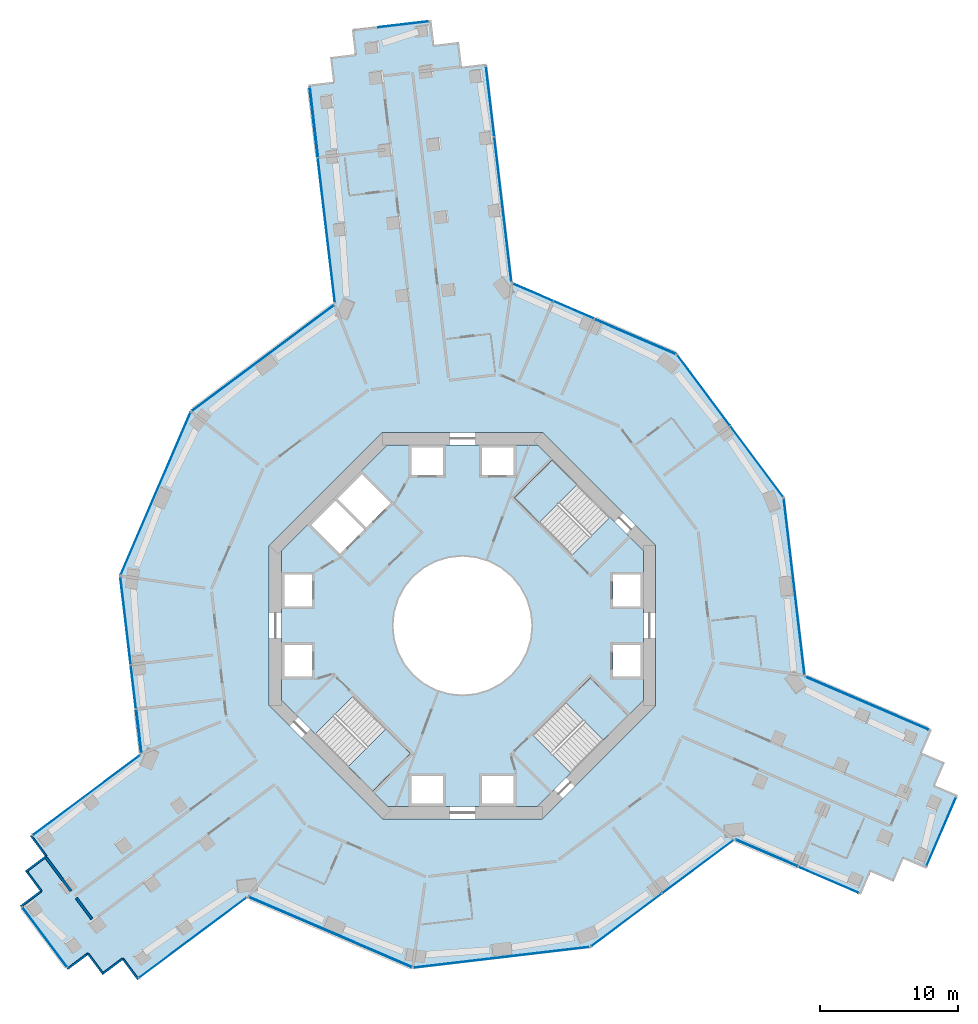
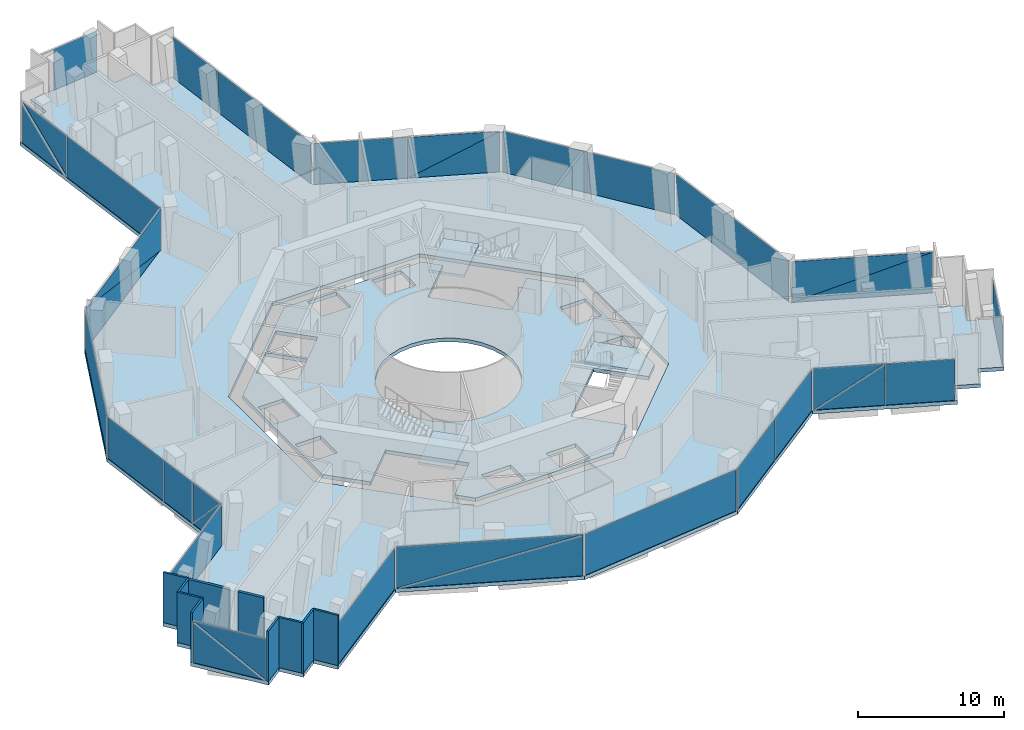
# One storey, part 10 of 17: 35 plates, 10 walls, 5 slabs, 21 elements without a shape of their own.
"""IFC4 building model written with IfcOpenShell, lengths in metres."""

from ifc_helpers import new_model, si_unit, direction, frame, frame_2d, origin, origin_2d, place, context, subcontext, project, spatial, polyline, rectangle, outline, extrude, material, layer, layer_set, type_object, element, aggregate, save


model = new_model("IFC4")

# Units and contexts
model_context = context("Model", 3, precision=1e-05, world=origin(), true_north=direction((0.0, 1.0)))
body_context = subcontext(model_context, "Body", "Model", "MODEL_VIEW")
ifc_project = project(units=[si_unit("LENGTHUNIT", "METRE"), si_unit("AREAUNIT", "SQUARE_METRE"), si_unit("VOLUMEUNIT", "CUBIC_METRE"), si_unit("PLANEANGLEUNIT", "RADIAN"), si_unit("MASSUNIT", "GRAM", prefix="KILO")], contexts=[model_context])

# Site, building, storey
site_placement = place(None, origin())
site = spatial("IfcSite", under=ifc_project, at=site_placement, CompositionType="ELEMENT")
building_placement = place(site_placement, origin())
building = spatial("IfcBuilding", under=site, at=building_placement, Name="Verdalira Terraces Hotel", CompositionType="ELEMENT")
storey_placement = place(building_placement, frame((0.0, 0.0, 60.0)))
storey = spatial("IfcBuildingStorey", under=building, at=storey_placement, Name="L13", CompositionType="ELEMENT", Elevation=60.0)

# Curtain wall, plates
ifc_material_1 = material(Name="Clear glass", Category="glass")
ifc_layer_1 = layer(ifc_material_1, 0.179931640625)
ifc_layer_set_1 = layer_set([ifc_layer_1], Name="CW4 curtain wall")
curtain_wall_type = type_object("IfcCurtainWallType", Name="CW4 curtain wall", PredefinedType="NOTDEFINED", material=ifc_layer_set_1)
curtain_wall_1_placement = place(storey_placement, origin())
curtain_wall_1 = element("IfcCurtainWall", 1, at=curtain_wall_1_placement, inside=storey, type_object=curtain_wall_type, Name="CW4 curtain wall L13 edge 0", PredefinedType="NOTDEFINED")
ifc_material_2 = material(Name="Clear glass", Category="glass")
ifc_layer_2 = layer(ifc_material_2, 0.035888671875)
ifc_layer_set_2 = layer_set([ifc_layer_2], Name="CW4 glass unit 36")
plate_type = type_object("IfcPlateType", Name="CW4 glass unit 36", PredefinedType="CURTAIN_PANEL", material=ifc_layer_set_2)
plate_1_placement = place(storey_placement, frame((2.931396, 30.155518, 0.0), z_axis=(0.0, 0.0, 1.0), x_axis=(-0.117017412, 0.993129863, 0.0)))
plate_1 = element("IfcPlate", 2, at=plate_1_placement, type_object=plate_type, Name="CW4 glass unit", PredefinedType="CURTAIN_PANEL", context=body_context, shape_type="SweptSolid", body=[
    extrude(rectangle(XDim=10.529297, YDim=0.035889, at=origin_2d()), origin(), (0.0, 0.0, 1.0), 3.419922),
])
plate_2_placement = place(storey_placement, frame((2.010742, 37.968262, 0.0), z_axis=(0.0, 0.0, 1.0), x_axis=(-0.117017412, 0.993129863, 0.0)))
plate_2 = element("IfcPlate", 3, at=plate_2_placement, type_object=plate_type, Name="CW4 glass unit", PredefinedType="CURTAIN_PANEL", context=body_context, shape_type="SweptSolid", body=[
    extrude(rectangle(XDim=5.074463, YDim=0.035889, at=origin_2d()), origin(), (0.0, 0.0, 1.0), 3.419922),
])
aggregate(curtain_wall_1, [plate_1, plate_2])

# Curtain wall, plate
curtain_wall_2_placement = place(storey_placement, origin())
curtain_wall_2 = element("IfcCurtainWall", 4, at=curtain_wall_2_placement, inside=storey, type_object=curtain_wall_type, Name="CW4 curtain wall L13 edge 5", PredefinedType="NOTDEFINED")
plate_3_placement = place(storey_placement, frame((-4.279541, 43.562988, 0.0), z_axis=(0.0, 0.0, 1.0), x_axis=(-0.993129863, -0.117017412, 0.0)))
plate_3 = element("IfcPlate", 5, at=plate_3_placement, type_object=plate_type, Name="CW4 glass unit", PredefinedType="CURTAIN_PANEL", context=body_context, shape_type="SweptSolid", body=[
    extrude(rectangle(XDim=3.675049, YDim=0.035889, at=origin_2d()), origin(), (0.0, 0.0, 1.0), 3.419922),
])
aggregate(curtain_wall_2, [plate_3])

# Curtain wall, plates
curtain_wall_3_placement = place(storey_placement, origin())
curtain_wall_3 = element("IfcCurtainWall", 6, at=curtain_wall_3_placement, inside=storey, type_object=curtain_wall_type, Name="CW4 curtain wall L13 edge 10", PredefinedType="NOTDEFINED")
plate_4_placement = place(storey_placement, frame((-10.762939, 36.463379, 1.709961), z_axis=(-0.993129863, -0.117017412, 0.0), x_axis=(0.117017412, -0.993129863, 0.0)))
plate_4 = element("IfcPlate", 7, at=plate_4_placement, type_object=plate_type, Name="CW4 glass unit", PredefinedType="CURTAIN_PANEL", context=body_context, shape_type="SweptSolid", body=[
    extrude(outline(polyline([(-2.537109, -1.709961), (2.537109, -1.709961), (-2.537109, 1.709961), (-2.537109, -1.709961)])), origin(), (0.0, 0.0, 1.0), 0.035889),
])
plate_5_placement = place(storey_placement, frame((-10.726074, 36.467529, 1.709961), z_axis=(-0.993129863, -0.117017412, 0.0), x_axis=(0.117017412, -0.993129863, 0.0)))
plate_5 = element("IfcPlate", 8, at=plate_5_placement, type_object=plate_type, Name="CW4 glass unit", PredefinedType="CURTAIN_PANEL", context=body_context, shape_type="SweptSolid", body=[
    extrude(outline(polyline([(2.537109, -1.709961), (2.537109, 1.709961), (-2.537109, 1.709961), (2.537109, -1.709961)])), origin(), (0.0, 0.0, 1.0), 0.035889),
])
plate_6_placement = place(storey_placement, frame((-9.860107, 28.648193, 0.0), z_axis=(0.0, 0.0, 1.0), x_axis=(0.117017412, -0.993129863, 0.0)))
plate_6 = element("IfcPlate", 9, at=plate_6_placement, type_object=plate_type, Name="CW4 glass unit", PredefinedType="CURTAIN_PANEL", context=body_context, shape_type="SweptSolid", body=[
    extrude(rectangle(XDim=10.529297, YDim=0.035889, at=origin_2d()), origin(), (0.0, 0.0, 1.0), 3.419922),
])
aggregate(curtain_wall_3, [plate_4, plate_5, plate_6])

curtain_wall_4_placement = place(storey_placement, origin())
curtain_wall_4 = element("IfcCurtainWall", 10, at=curtain_wall_4_placement, inside=storey, type_object=curtain_wall_type, Name="CW4 curtain wall L13 edge 11", PredefinedType="NOTDEFINED")
plate_7_placement = place(storey_placement, frame((-14.448486, 19.388916, 1.709961), z_axis=(-0.597904983, 0.801566985, 0.0), x_axis=(-0.801566985, -0.597904983, 0.0)))
plate_7 = element("IfcPlate", 11, at=plate_7_placement, type_object=plate_type, Name="CW4 glass unit", PredefinedType="CURTAIN_PANEL", context=body_context, shape_type="SweptSolid", body=[
    extrude(outline(polyline([(-6.40625, -1.709961), (6.40625, -1.709961), (6.40625, 1.709961), (-6.40625, -1.709961)])), origin(), (0.0, 0.0, 1.0), 0.035889),
])
plate_8_placement = place(storey_placement, frame((-14.42627, 19.359131, 1.709961), z_axis=(-0.597904983, 0.801566985, 0.0), x_axis=(-0.801566985, -0.597904983, 0.0)))
plate_8 = element("IfcPlate", 12, at=plate_8_placement, type_object=plate_type, Name="CW4 glass unit", PredefinedType="CURTAIN_PANEL", context=body_context, shape_type="SweptSolid", body=[
    extrude(outline(polyline([(-6.40625, -1.709961), (6.40625, 1.709961), (-6.40625, 1.709961), (-6.40625, -1.709961)])), origin(), (0.0, 0.0, 1.0), 0.035889),
])
aggregate(curtain_wall_4, [plate_7, plate_8])

# Curtain wall, plate
curtain_wall_5_placement = place(storey_placement, origin())
curtain_wall_5 = element("IfcCurtainWall", 13, at=curtain_wall_5_placement, inside=storey, type_object=curtain_wall_type, Name="CW4 curtain wall L13 edge 12", PredefinedType="NOTDEFINED")
plate_9_placement = place(storey_placement, frame((-22.228271, 9.563721, 0.0), z_axis=(0.0, 0.0, 1.0), x_axis=(-0.39522488, -0.918584397, 0.0)))
plate_9 = element("IfcPlate", 14, at=plate_9_placement, type_object=plate_type, Name="CW4 glass unit", PredefinedType="CURTAIN_PANEL", context=body_context, shape_type="SweptSolid", body=[
    extrude(rectangle(XDim=12.789551, YDim=0.035889, at=origin_2d()), origin(), (0.0, 0.0, 1.0), 3.419922),
])
aggregate(curtain_wall_5, [plate_9])

# Curtain wall, plates
curtain_wall_6_placement = place(storey_placement, origin())
curtain_wall_6 = element("IfcCurtainWall", 15, at=curtain_wall_6_placement, inside=storey, type_object=curtain_wall_type, Name="CW4 curtain wall L13 edge 13", PredefinedType="NOTDEFINED")
plate_10_placement = place(storey_placement, frame((-24.408203, 0.359863, 0.0), z_axis=(0.0, 0.0, 1.0), x_axis=(0.117017412, -0.993129863, 0.0)))
plate_10 = element("IfcPlate", 16, at=plate_10_placement, type_object=plate_type, Name="CW4 glass unit", PredefinedType="CURTAIN_PANEL", context=body_context, shape_type="SweptSolid", body=[
    extrude(rectangle(XDim=6.362305, YDim=0.035889, at=origin_2d()), origin(), (0.0, 0.0, 1.0), 3.419922),
])
plate_11_placement = place(storey_placement, frame((-23.842041, -4.445557, 0.0), z_axis=(0.0, 0.0, 1.0), x_axis=(0.117017412, -0.993129863, 0.0)))
plate_11 = element("IfcPlate", 17, at=plate_11_placement, type_object=plate_type, Name="CW4 glass unit", PredefinedType="CURTAIN_PANEL", context=body_context, shape_type="SweptSolid", body=[
    extrude(rectangle(XDim=3.185059, YDim=0.035889, at=origin_2d()), origin(), (0.0, 0.0, 1.0), 3.419922),
])
plate_12_placement = place(storey_placement, frame((-23.446777, -7.64624, 1.709961), z_axis=(-0.993129863, -0.117017412, 0.0), x_axis=(0.117017412, -0.993129863, 0.0)))
plate_12 = element("IfcPlate", 18, at=plate_12_placement, type_object=plate_type, Name="CW4 glass unit", PredefinedType="CURTAIN_PANEL", context=body_context, shape_type="SweptSolid", body=[
    extrude(outline(polyline([(-1.567627, -1.709961), (1.567627, -1.709961), (1.567627, 1.709961), (-1.567627, -1.709961)])), origin(), (0.0, 0.0, 1.0), 0.035889),
])
plate_13_placement = place(storey_placement, frame((-23.409912, -7.64209, 1.709961), z_axis=(-0.993129863, -0.117017412, 0.0), x_axis=(0.117017412, -0.993129863, 0.0)))
plate_13 = element("IfcPlate", 19, at=plate_13_placement, type_object=plate_type, Name="CW4 glass unit", PredefinedType="CURTAIN_PANEL", context=body_context, shape_type="SweptSolid", body=[
    extrude(outline(polyline([(-1.567627, -1.709961), (1.567627, 1.709961), (-1.567627, 1.709961), (-1.567627, -1.709961)])), origin(), (0.0, 0.0, 1.0), 0.035889),
])
aggregate(curtain_wall_6, [plate_10, plate_11, plate_12, plate_13])

# Curtain wall, plate
curtain_wall_7_placement = place(storey_placement, origin())
curtain_wall_7 = element("IfcCurtainWall", 20, at=curtain_wall_7_placement, inside=storey, type_object=curtain_wall_type, Name="CW4 curtain wall L13 edge 14", PredefinedType="NOTDEFINED")
plate_14_placement = place(storey_placement, frame((-27.236328, -12.281738, 0.0), z_axis=(0.0, 0.0, 1.0), x_axis=(-0.801566985, -0.597904983, 0.0)))
plate_14 = element("IfcPlate", 21, at=plate_14_placement, type_object=plate_type, Name="CW4 glass unit", PredefinedType="CURTAIN_PANEL", context=body_context, shape_type="SweptSolid", body=[
    extrude(rectangle(XDim=9.668945, YDim=0.035889, at=origin_2d()), origin(), (0.0, 0.0, 1.0), 3.419922),
])
aggregate(curtain_wall_7, [plate_14])

# Curtain wall, plates
curtain_wall_8_placement = place(storey_placement, origin())
curtain_wall_8 = element("IfcCurtainWall", 22, at=curtain_wall_8_placement, inside=storey, type_object=curtain_wall_type, Name="CW4 curtain wall L13 edge 19", PredefinedType="NOTDEFINED")
plate_15_placement = place(storey_placement, frame((-30.256348, -22.568848, 1.709961), z_axis=(-0.801566985, -0.597904983, 0.0), x_axis=(0.597904983, -0.801566985, 0.0)))
plate_15 = element("IfcPlate", 23, at=plate_15_placement, type_object=plate_type, Name="CW4 glass unit", PredefinedType="CURTAIN_PANEL", context=body_context, shape_type="SweptSolid", body=[
    extrude(outline(polyline([(-2.685059, -1.709961), (2.685059, -1.709961), (-2.685059, 1.709961), (-2.685059, -1.709961)])), origin(), (0.0, 0.0, 1.0), 0.035889),
])
plate_16_placement = place(storey_placement, frame((-30.226562, -22.546631, 1.709961), z_axis=(-0.801566985, -0.597904983, 0.0), x_axis=(0.597904983, -0.801566985, 0.0)))
plate_16 = element("IfcPlate", 24, at=plate_16_placement, type_object=plate_type, Name="CW4 glass unit", PredefinedType="CURTAIN_PANEL", context=body_context, shape_type="SweptSolid", body=[
    extrude(outline(polyline([(2.685059, -1.709961), (2.685059, 1.709961), (-2.685059, 1.709961), (2.685059, -1.709961)])), origin(), (0.0, 0.0, 1.0), 0.035889),
])
aggregate(curtain_wall_8, [plate_15, plate_16])

# Curtain wall, plate
curtain_wall_9_placement = place(storey_placement, origin())
curtain_wall_9 = element("IfcCurtainWall", 25, at=curtain_wall_9_placement, inside=storey, type_object=curtain_wall_type, Name="CW4 curtain wall L13 edge 24", PredefinedType="NOTDEFINED")
plate_17_placement = place(storey_placement, frame((-19.535156, -22.605957, 0.0), z_axis=(0.0, 0.0, 1.0), x_axis=(0.801566985, 0.597904983, 0.0)))
plate_17 = element("IfcPlate", 26, at=plate_17_placement, type_object=plate_type, Name="CW4 glass unit", PredefinedType="CURTAIN_PANEL", context=body_context, shape_type="SweptSolid", body=[
    extrude(rectangle(XDim=9.668945, YDim=0.035889, at=origin_2d()), origin(), (0.0, 0.0, 1.0), 3.419922),
])
aggregate(curtain_wall_9, [plate_17])

# Curtain wall, plates
curtain_wall_10_placement = place(storey_placement, origin())
curtain_wall_10 = element("IfcCurtainWall", 27, at=curtain_wall_10_placement, inside=storey, type_object=curtain_wall_type, Name="CW4 curtain wall L13 edge 25", PredefinedType="NOTDEFINED")
plate_18_placement = place(storey_placement, frame((-9.567139, -22.207031, 1.709961), z_axis=(-0.39522488, -0.918584397, 0.0), x_axis=(0.918584397, -0.39522488, 0.0)))
plate_18 = element("IfcPlate", 28, at=plate_18_placement, type_object=plate_type, Name="CW4 glass unit", PredefinedType="CURTAIN_PANEL", context=body_context, shape_type="SweptSolid", body=[
    extrude(outline(polyline([(-6.40625, -1.709961), (6.40625, -1.709961), (6.40625, 1.709961), (-6.40625, -1.709961)])), origin(), (0.0, 0.0, 1.0), 0.035889),
])
plate_19_placement = place(storey_placement, frame((-9.55249, -22.173096, 1.709961), z_axis=(-0.39522488, -0.918584397, 0.0), x_axis=(0.918584397, -0.39522488, 0.0)))
plate_19 = element("IfcPlate", 29, at=plate_19_placement, type_object=plate_type, Name="CW4 glass unit", PredefinedType="CURTAIN_PANEL", context=body_context, shape_type="SweptSolid", body=[
    extrude(outline(polyline([(-6.40625, -1.709961), (6.40625, 1.709961), (-6.40625, 1.709961), (-6.40625, -1.709961)])), origin(), (0.0, 0.0, 1.0), 0.035889),
])
aggregate(curtain_wall_10, [plate_18, plate_19])

# Curtain wall, plate
curtain_wall_11_placement = place(storey_placement, origin())
curtain_wall_11 = element("IfcCurtainWall", 30, at=curtain_wall_11_placement, inside=storey, type_object=curtain_wall_type, Name="CW4 curtain wall L13 edge 26", PredefinedType="NOTDEFINED")
plate_20_placement = place(storey_placement, frame((2.831543, -24.031982, 0.0), z_axis=(0.0, 0.0, 1.0), x_axis=(0.993129863, 0.117017412, 0.0)))
plate_20 = element("IfcPlate", 31, at=plate_20_placement, type_object=plate_type, Name="CW4 glass unit", PredefinedType="CURTAIN_PANEL", context=body_context, shape_type="SweptSolid", body=[
    extrude(rectangle(XDim=12.789551, YDim=0.035889, at=origin_2d()), origin(), (0.0, 0.0, 1.0), 3.419922),
])
aggregate(curtain_wall_11, [plate_20])

# Curtain wall, plates
curtain_wall_12_placement = place(storey_placement, origin())
curtain_wall_12 = element("IfcCurtainWall", 32, at=curtain_wall_12_placement, inside=storey, type_object=curtain_wall_type, Name="CW4 curtain wall L13 edge 27", PredefinedType="NOTDEFINED")
plate_21_placement = place(storey_placement, frame((11.892334, -21.318115, 0.0), z_axis=(0.0, 0.0, 1.0), x_axis=(0.801566985, 0.597904983, 0.0)))
plate_21 = element("IfcPlate", 33, at=plate_21_placement, type_object=plate_type, Name="CW4 glass unit", PredefinedType="CURTAIN_PANEL", context=body_context, shape_type="SweptSolid", body=[
    extrude(rectangle(XDim=6.362305, YDim=0.035889, at=origin_2d()), origin(), (0.0, 0.0, 1.0), 3.419922),
])
plate_22_placement = place(storey_placement, frame((17.053467, -17.468262, 0.0), z_axis=(0.0, 0.0, 1.0), x_axis=(0.801566985, 0.597904983, 0.0)))
plate_22 = element("IfcPlate", 34, at=plate_22_placement, type_object=plate_type, Name="CW4 glass unit", PredefinedType="CURTAIN_PANEL", context=body_context, shape_type="SweptSolid", body=[
    extrude(rectangle(XDim=6.385254, YDim=0.035889, at=origin_2d()), origin(), (0.0, 0.0, 1.0), 3.419922),
])
aggregate(curtain_wall_12, [plate_21, plate_22])

curtain_wall_13_placement = place(storey_placement, origin())
curtain_wall_13 = element("IfcCurtainWall", 35, at=curtain_wall_13_placement, inside=storey, type_object=curtain_wall_type, Name="CW4 curtain wall L13 edge 28", PredefinedType="NOTDEFINED")
plate_23_placement = place(storey_placement, frame((22.056641, -16.481201, 1.709961), z_axis=(-0.39522488, -0.918584397, 0.0), x_axis=(0.918584397, -0.39522488, 0.0)))
plate_23 = element("IfcPlate", 36, at=plate_23_placement, type_object=plate_type, Name="CW4 glass unit", PredefinedType="CURTAIN_PANEL", context=body_context, shape_type="SweptSolid", body=[
    extrude(outline(polyline([(-2.434082, -1.709961), (2.434082, -1.709961), (2.434082, 1.709961), (-2.434082, -1.709961)])), origin(), (0.0, 0.0, 1.0), 0.035889),
])
plate_24_placement = place(storey_placement, frame((22.071289, -16.447266, 1.709961), z_axis=(-0.39522488, -0.918584397, 0.0), x_axis=(0.918584397, -0.39522488, 0.0)))
plate_24 = element("IfcPlate", 37, at=plate_24_placement, type_object=plate_type, Name="CW4 glass unit", PredefinedType="CURTAIN_PANEL", context=body_context, shape_type="SweptSolid", body=[
    extrude(outline(polyline([(-2.434082, -1.709961), (2.434082, 1.709961), (-2.434082, 1.709961), (-2.434082, -1.709961)])), origin(), (0.0, 0.0, 1.0), 0.035889),
])
plate_25_placement = place(storey_placement, frame((26.520264, -18.421387, 0.0), z_axis=(0.0, 0.0, 1.0), x_axis=(0.918584397, -0.39522488, 0.0)))
plate_25 = element("IfcPlate", 38, at=plate_25_placement, type_object=plate_type, Name="CW4 glass unit", PredefinedType="CURTAIN_PANEL", context=body_context, shape_type="SweptSolid", body=[
    extrude(rectangle(XDim=4.735596, YDim=0.035889, at=origin_2d()), origin(), (0.0, 0.0, 1.0), 3.419922),
])
aggregate(curtain_wall_13, [plate_23, plate_24, plate_25])

# Curtain wall, plate
curtain_wall_14_placement = place(storey_placement, origin())
curtain_wall_14 = element("IfcCurtainWall", 39, at=curtain_wall_14_placement, inside=storey, type_object=curtain_wall_type, Name="CW4 curtain wall L13 edge 33", PredefinedType="NOTDEFINED")
plate_26_placement = place(storey_placement, frame((34.689941, -14.925537, 0.0), z_axis=(0.0, 0.0, 1.0), x_axis=(0.39522488, 0.918584397, 0.0)))
plate_26 = element("IfcPlate", 40, at=plate_26_placement, type_object=plate_type, Name="CW4 glass unit", PredefinedType="CURTAIN_PANEL", context=body_context, shape_type="SweptSolid", body=[
    extrude(rectangle(XDim=5.370117, YDim=0.035889, at=origin_2d()), origin(), (0.0, 0.0, 1.0), 3.419922),
])
aggregate(curtain_wall_14, [plate_26])

# Curtain wall, plates
curtain_wall_15_placement = place(storey_placement, origin())
curtain_wall_15 = element("IfcCurtainWall", 41, at=curtain_wall_15_placement, inside=storey, type_object=curtain_wall_type, Name="CW4 curtain wall L13 edge 38", PredefinedType="NOTDEFINED")
plate_27_placement = place(storey_placement, frame((29.337891, -5.631592, 1.709961), z_axis=(0.39522488, 0.918584397, 0.0), x_axis=(-0.918584397, 0.39522488, 0.0)))
plate_27 = element("IfcPlate", 42, at=plate_27_placement, type_object=plate_type, Name="CW4 glass unit", PredefinedType="CURTAIN_PANEL", context=body_context, shape_type="SweptSolid", body=[
    extrude(outline(polyline([(-4.834473, -1.709961), (4.834473, -1.709961), (-4.834473, 1.709961), (-4.834473, -1.709961)])), origin(), (0.0, 0.0, 1.0), 0.035889),
])
plate_28_placement = place(storey_placement, frame((29.323242, -5.665527, 1.709961), z_axis=(0.39522488, 0.918584397, 0.0), x_axis=(-0.918584397, 0.39522488, 0.0)))
plate_28 = element("IfcPlate", 43, at=plate_28_placement, type_object=plate_type, Name="CW4 glass unit", PredefinedType="CURTAIN_PANEL", context=body_context, shape_type="SweptSolid", body=[
    extrude(outline(polyline([(4.834473, -1.709961), (4.834473, 1.709961), (-4.834473, 1.709961), (4.834473, -1.709961)])), origin(), (0.0, 0.0, 1.0), 0.035889),
])
aggregate(curtain_wall_15, [plate_27, plate_28])

# Curtain wall, plate
curtain_wall_16_placement = place(storey_placement, origin())
curtain_wall_16 = element("IfcCurtainWall", 44, at=curtain_wall_16_placement, inside=storey, type_object=curtain_wall_type, Name="CW4 curtain wall L13 edge 39", PredefinedType="NOTDEFINED")
plate_29_placement = place(storey_placement, frame((24.033447, 2.820312, 0.0), z_axis=(0.0, 0.0, 1.0), x_axis=(-0.117017412, 0.993129863, 0.0)))
plate_29 = element("IfcPlate", 45, at=plate_29_placement, type_object=plate_type, Name="CW4 glass unit", PredefinedType="CURTAIN_PANEL", context=body_context, shape_type="SweptSolid", body=[
    extrude(rectangle(XDim=12.8125, YDim=0.035889, at=origin_2d()), origin(), (0.0, 0.0, 1.0), 3.419922),
])
aggregate(curtain_wall_16, [plate_29])

# Curtain wall, plates
curtain_wall_17_placement = place(storey_placement, origin())
curtain_wall_17 = element("IfcCurtainWall", 46, at=curtain_wall_17_placement, inside=storey, type_object=curtain_wall_type, Name="CW4 curtain wall L13 edge 40", PredefinedType="NOTDEFINED")
plate_30_placement = place(storey_placement, frame((21.318115, 11.892334, 0.0), z_axis=(0.0, 0.0, 1.0), x_axis=(-0.597904983, 0.801566985, 0.0)))
plate_30 = element("IfcPlate", 47, at=plate_30_placement, type_object=plate_type, Name="CW4 glass unit", PredefinedType="CURTAIN_PANEL", context=body_context, shape_type="SweptSolid", body=[
    extrude(rectangle(XDim=6.362305, YDim=0.035889, at=origin_2d()), origin(), (0.0, 0.0, 1.0), 3.419922),
])
plate_31_placement = place(storey_placement, frame((17.475098, 17.044189, 0.0), z_axis=(0.0, 0.0, 1.0), x_axis=(-0.597904983, 0.801566985, 0.0)))
plate_31 = element("IfcPlate", 48, at=plate_31_placement, type_object=plate_type, Name="CW4 glass unit", PredefinedType="CURTAIN_PANEL", context=body_context, shape_type="SweptSolid", body=[
    extrude(rectangle(XDim=6.362305, YDim=0.035889, at=origin_2d()), origin(), (0.0, 0.0, 1.0), 3.419922),
])
aggregate(curtain_wall_17, [plate_30, plate_31])

curtain_wall_18_placement = place(storey_placement, origin())
curtain_wall_18 = element("IfcCurtainWall", 49, at=curtain_wall_18_placement, inside=storey, type_object=curtain_wall_type, Name="CW4 curtain wall L13 edge 41", PredefinedType="NOTDEFINED")
plate_32_placement = place(storey_placement, frame((12.508789, 20.941406, 1.709961), z_axis=(0.39522488, 0.918584397, 0.0), x_axis=(-0.918584397, 0.39522488, 0.0)))
plate_32 = element("IfcPlate", 50, at=plate_32_placement, type_object=plate_type, Name="CW4 glass unit", PredefinedType="CURTAIN_PANEL", context=body_context, shape_type="SweptSolid", body=[
    extrude(outline(polyline([(-3.181152, -1.709961), (3.181152, -1.709961), (-3.181152, 1.709961), (-3.181152, -1.709961)])), origin(), (0.0, 0.0, 1.0), 0.035889),
])
plate_33_placement = place(storey_placement, frame((12.494141, 20.907471, 1.709961), z_axis=(0.39522488, 0.918584397, 0.0), x_axis=(-0.918584397, 0.39522488, 0.0)))
plate_33 = element("IfcPlate", 51, at=plate_33_placement, type_object=plate_type, Name="CW4 glass unit", PredefinedType="CURTAIN_PANEL", context=body_context, shape_type="SweptSolid", body=[
    extrude(outline(polyline([(3.181152, -1.709961), (3.181152, 1.709961), (-3.181152, 1.709961), (3.181152, -1.709961)])), origin(), (0.0, 0.0, 1.0), 0.035889),
])
plate_34_placement = place(storey_placement, frame((8.071045, 22.870361, 0.0), z_axis=(0.0, 0.0, 1.0), x_axis=(-0.918584397, 0.39522488, 0.0)))
plate_34 = element("IfcPlate", 52, at=plate_34_placement, type_object=plate_type, Name="CW4 glass unit", PredefinedType="CURTAIN_PANEL", context=body_context, shape_type="SweptSolid", body=[
    extrude(rectangle(XDim=3.185059, YDim=0.035889, at=origin_2d()), origin(), (0.0, 0.0, 1.0), 3.419922),
])
plate_35_placement = place(storey_placement, frame((5.108643, 24.14502, 0.0), z_axis=(0.0, 0.0, 1.0), x_axis=(-0.918584397, 0.39522488, 0.0)))
plate_35 = element("IfcPlate", 53, at=plate_35_placement, type_object=plate_type, Name="CW4 glass unit", PredefinedType="CURTAIN_PANEL", context=body_context, shape_type="SweptSolid", body=[
    extrude(rectangle(XDim=3.135254, YDim=0.035889, at=origin_2d()), origin(), (0.0, 0.0, 1.0), 3.419922),
])
aggregate(curtain_wall_18, [plate_32, plate_33, plate_34, plate_35])

# Slab
ifc_material_3 = material(Name="Concrete C40", Category="concrete")
ifc_layer_3 = layer(ifc_material_3, 0.31005859375)
ifc_layer_set_3 = layer_set([ifc_layer_3], Name="Core floor slab 310 mm")
slab_type_1 = type_object("IfcSlabType", Name="Core floor slab 310 mm", PredefinedType="FLOOR", material=ifc_layer_set_3)
slab_1_placement = place(storey_placement, frame((0.0, 0.0, -0.310059)))
element("IfcSlab", 54, at=slab_1_placement, inside=storey, type_object=slab_type_1, Name="L13 core floor", PredefinedType="FLOOR", context=body_context, shape_type="SweptSolid", body=[
    extrude(outline(polyline([(-5.42627, 13.100098), (5.42627, 13.100098), (6.491211, 12.034912), (3.719482, 9.263184), (7.905029, 5.077393), (10.677002, 7.849121), (13.100098, 5.42627), (13.100098, -5.42627), (12.034912, -6.491211), (9.263184, -3.719482), (5.077393, -7.905029), (7.849121, -10.677002), (5.42627, -13.100098), (-5.42627, -13.100098), (-6.491211, -12.034912), (-3.719482, -9.263184), (-7.905029, -5.077393), (-10.677002, -7.849121), (-13.100098, -5.42627), (-13.100098, 5.42627), (-5.42627, 13.100098)]), holes=[polyline([(12.899902, -3.699951), (12.899902, -1.399902), (10.899902, -1.399902), (10.899902, -3.699951), (12.899902, -3.699951)]), polyline([(12.899902, 1.399902), (12.899902, 3.699951), (10.899902, 3.699951), (10.899902, 1.399902), (12.899902, 1.399902)]), polyline([(1.399902, 10.899902), (3.699951, 10.899902), (3.699951, 12.899902), (1.399902, 12.899902), (1.399902, 10.899902)]), polyline([(-3.699951, 10.899902), (-1.399902, 10.899902), (-1.399902, 12.899902), (-3.699951, 12.899902), (-3.699951, 10.899902)]), polyline([(-12.899902, 3.699951), (-12.899902, 1.399902), (-10.899902, 1.399902), (-10.899902, 3.699951), (-12.899902, 3.699951)]), polyline([(-12.899902, -1.399902), (-12.899902, -3.699951), (-10.899902, -3.699951), (-10.899902, -1.399902), (-12.899902, -1.399902)]), polyline([(-1.399902, -10.899902), (-3.699951, -10.899902), (-3.699951, -12.899902), (-1.399902, -12.899902), (-1.399902, -10.899902)]), polyline([(3.699951, -10.899902), (1.399902, -10.899902), (1.399902, -12.899902), (3.699951, -12.899902), (3.699951, -10.899902)]), polyline([(-9.051025, 9.192383), (-6.965088, 7.106445), (-5.197266, 8.874268), (-7.283203, 10.960205), (-9.051025, 9.192383)]), polyline([(-9.192383, 9.051025), (-10.960205, 7.283203), (-8.874268, 5.197266), (-7.106445, 6.965088), (-9.192383, 9.051025)]), polyline([(3.5354, 3.5354), (2.777832, 4.157227), (1.91333, 4.619385), (0.975586, 4.903809), (0.0, 5.0), (-0.975586, 4.903809), (-1.91333, 4.619385), (-2.777832, 4.157227), (-3.5354, 3.5354), (-4.157227, 2.777832), (-4.619385, 1.91333), (-4.903809, 0.975586), (-5.0, 0.0), (-4.903809, -0.975586), (-4.619385, -1.91333), (-4.157227, -2.777832), (-3.5354, -3.5354), (-2.777832, -4.157227), (-1.91333, -4.619385), (-0.975586, -4.903809), (0.0, -5.0), (0.975586, -4.903809), (1.91333, -4.619385), (2.777832, -4.157227), (3.5354, -3.5354), (4.157227, -2.777832), (4.619385, -1.91333), (4.903809, -0.975586), (5.0, 0.0), (4.903809, 0.975586), (4.619385, 1.91333), (4.157227, 2.777832), (3.5354, 3.5354)])]), origin(), (0.0, 0.0, 1.0), 0.310059),
])

# Stair, slab
ifc_material_4 = material(Name="Concrete C40", Category="concrete")
stair_type = type_object("IfcStairType", Name="Core stair 26 risers 1900 mm wide", PredefinedType="HALF_TURN_STAIR", material=ifc_material_4)
stair_1_placement = place(storey_placement, origin())
stair_1 = element("IfcStair", 55, at=stair_1_placement, inside=storey, type_object=stair_type, Name="L13 Exit stair ST1", PredefinedType="HALF_TURN_STAIR")
ifc_material_5 = material(Name="Concrete C40", Category="concrete")
ifc_layer_4 = layer(ifc_material_5, 0.199951171875)
ifc_layer_set_4 = layer_set([ifc_layer_4], Name="Core stair landing 200 mm")
slab_type_2 = type_object("IfcSlabType", Name="Core stair landing 200 mm", PredefinedType="LANDING", material=ifc_layer_set_4)
slab_2_placement = place(storey_placement, frame((0.0, 0.0, 2.050049)))
slab_2 = element("IfcSlab", 56, at=slab_2_placement, type_object=slab_type_2, Name="ST1 landing 1", PredefinedType="LANDING", context=body_context, shape_type="SweptSolid", body=[
    extrude(outline(polyline([(8.301758, 10.224365), (6.505371, 12.020752), (3.747559, 9.263184), (5.544189, 7.466797), (8.301758, 10.224365)])), origin(), (0.0, 0.0, 1.0), 0.199951),
])
aggregate(stair_1, [slab_2])

stair_2_placement = place(storey_placement, origin())
stair_2 = element("IfcStair", 57, at=stair_2_placement, inside=storey, type_object=stair_type, Name="L13 Exit stair ST2", PredefinedType="HALF_TURN_STAIR")
slab_3_placement = place(storey_placement, frame((0.0, 0.0, 2.050049)))
slab_3 = element("IfcSlab", 58, at=slab_3_placement, type_object=slab_type_2, Name="ST2 landing 1", PredefinedType="LANDING", context=body_context, shape_type="SweptSolid", body=[
    extrude(outline(polyline([(-8.301758, -10.224365), (-6.505371, -12.020752), (-3.747559, -9.263184), (-5.544189, -7.466797), (-8.301758, -10.224365)])), origin(), (0.0, 0.0, 1.0), 0.199951),
])
aggregate(stair_2, [slab_3])

stair_3_placement = place(storey_placement, origin())
stair_3 = element("IfcStair", 59, at=stair_3_placement, inside=storey, type_object=stair_type, Name="L13 Exit stair ST3", PredefinedType="HALF_TURN_STAIR")
slab_4_placement = place(storey_placement, frame((0.0, 0.0, 2.050049)))
slab_4 = element("IfcSlab", 60, at=slab_4_placement, type_object=slab_type_2, Name="ST3 landing 1", PredefinedType="LANDING", context=body_context, shape_type="SweptSolid", body=[
    extrude(outline(polyline([(10.224365, -8.301758), (12.020752, -6.505371), (9.263184, -3.747559), (7.466797, -5.544189), (10.224365, -8.301758)])), origin(), (0.0, 0.0, 1.0), 0.199951),
])
aggregate(stair_3, [slab_4])

# Slab
ifc_material_6 = material(Name="Concrete C40", Category="concrete")
ifc_layer_5 = layer(ifc_material_6, 0.31005859375)
ifc_layer_set_5 = layer_set([ifc_layer_5], Name="Floor slab 310 C40")
slab_type_3 = type_object("IfcSlabType", Name="Floor slab 310 C40", PredefinedType="FLOOR", material=ifc_layer_set_5)
slab_5_placement = place(storey_placement, frame((0.0, 0.0, -0.310059)))
element("IfcSlab", 61, at=slab_5_placement, inside=storey, type_object=slab_type_3, Name="Floor slab L13", PredefinedType="FLOOR", context=body_context, shape_type="SweptSolid", body=[
    extrude(outline(polyline([(15.55835, 19.714355), (3.616699, 24.852295), (1.748291, 40.70874), (-0.039307, 40.498047), (-0.25, 42.285889), (-2.037598, 42.075195), (-2.248291, 43.862793), (-8.008301, 43.184082), (-7.797607, 41.396484), (-9.585205, 41.185791), (-9.374756, 39.398193), (-11.162354, 39.1875), (-9.293945, 23.331055), (-19.714355, 15.55835), (-24.852295, 3.616699), (-23.331055, -9.293945), (-31.31958, -15.252686), (-30.243408, -16.695557), (-31.686279, -17.771973), (-30.610107, -19.2146), (-32.052734, -20.291016), (-28.584961, -24.939941), (-27.14209, -23.86377), (-26.065918, -25.306641), (-24.623047, -24.230469), (-23.546875, -25.673096), (-15.55835, -19.714355), (-3.616699, -24.852295), (9.293945, -23.331055), (19.714355, -15.55835), (28.869141, -19.497314), (29.580566, -17.84375), (31.233887, -18.555176), (31.945312, -16.901611), (33.598877, -17.613037), (35.891113, -12.2854), (34.237793, -11.573975), (34.949219, -9.92041), (33.295654, -9.208984), (34.00708, -7.555664), (24.852295, -3.616699), (23.331055, 9.293945), (15.55835, 19.714355)]), holes=[polyline([(5.799072, 14.0), (14.0, 5.799072), (14.0, -5.799072), (5.799072, -14.0), (-5.799072, -14.0), (-14.0, -5.799072), (-14.0, 5.799072), (-5.799072, 14.0), (5.799072, 14.0)])]), origin(), (0.0, 0.0, 1.0), 0.310059),
])

# Walls
ifc_material_7 = material(Name="Fire-rated gypsum board wall")
ifc_layer_6 = layer(ifc_material_7, 0.199951171875)
ifc_layer_set_6 = layer_set([ifc_layer_6], Name="Demising wall 200 mm")
wall_type_1 = type_object("IfcWallType", Name="Demising wall 200 mm", PredefinedType="SOLIDWALL", material=ifc_layer_set_6)
wall_1_placement = place(storey_placement, frame((-28.358398, -19.2229, 0.0), z_axis=(0.0, 0.0, 1.0), x_axis=(-0.597839809, 0.801615596, 0.0)))
element("IfcWall", 62, at=wall_1_placement, inside=storey, type_object=wall_type_1, Name="Demising wall", PredefinedType="SOLIDWALL", context=body_context, shape_type="SweptSolid", body=[
    extrude(rectangle(XDim=3.004883, YDim=0.199951, at=frame_2d((1.502441, 0.0))), origin(), (0.0, 0.0, 1.0), 4.189941),
])
ifc_material_8 = material(Name="Fire-rated gypsum board wall")
ifc_layer_7 = layer(ifc_material_8, 0.199951171875)
ifc_layer_set_7 = layer_set([ifc_layer_7], Name="Guest corridor wall 200 mm")
wall_type_2 = type_object("IfcWallType", Name="Guest corridor wall 200 mm", PredefinedType="SOLIDWALL", material=ifc_layer_set_7)
wall_2_placement = place(storey_placement, frame((-27.972412, -19.73999, 0.0), z_axis=(0.0, 0.0, 1.0), x_axis=(0.597900852, -0.801570066, 0.0)))
element("IfcWall", 63, at=wall_2_placement, inside=storey, type_object=wall_type_2, Name="Guest corridor wall", PredefinedType="SOLIDWALL", context=body_context, shape_type="SweptSolid", body=[
    extrude(rectangle(XDim=1.899902, YDim=0.199951, at=frame_2d((0.949951, 0.0))), origin(), (0.0, 0.0, 1.0), 4.189941),
])
ifc_material_9 = material(Name="Terracotta cladding", Category="masonry")
ifc_layer_8 = layer(ifc_material_9, 0.14990234375)
ifc_layer_set_8 = layer_set([ifc_layer_8], Name="Terracotta clad wall 150")
wall_type_3 = type_object("IfcWallType", Name="Terracotta clad wall 150", PredefinedType="SOLIDWALL", material=ifc_layer_set_8)
wall_3_placement = place(storey_placement, frame((-31.259521, -15.208008, 0.0), z_axis=(0.0, 0.0, 1.0), x_axis=(0.597914639, -0.801559782, 0.0)))
element("IfcWall", 64, at=wall_3_placement, inside=storey, type_object=wall_type_3, Name="Terracotta cladding wall", PredefinedType="SOLIDWALL", context=body_context, shape_type="SweptSolid", body=[
    extrude(rectangle(XDim=1.875, YDim=0.149902, at=frame_2d((0.9375, 0.0))), origin(), (0.0, 0.0, 1.0), 4.189941),
])
wall_4_placement = place(storey_placement, frame((-30.138428, -16.710938, 0.0), z_axis=(0.0, 0.0, 1.0), x_axis=(-0.80159222, -0.597871151, 0.0)))
element("IfcWall", 65, at=wall_4_placement, inside=storey, type_object=wall_type_3, Name="Terracotta cladding wall", PredefinedType="SOLIDWALL", context=body_context, shape_type="SweptSolid", body=[
    extrude(rectangle(XDim=1.800049, YDim=0.149902, at=frame_2d((0.899902, 0.0))), origin(), (0.0, 0.0, 1.0), 4.189941),
])
wall_5_placement = place(storey_placement, frame((-31.625977, -17.727051, 0.0), z_axis=(0.0, 0.0, 1.0), x_axis=(0.597914639, -0.801559782, 0.0)))
element("IfcWall", 66, at=wall_5_placement, inside=storey, type_object=wall_type_3, Name="Terracotta cladding wall", PredefinedType="SOLIDWALL", context=body_context, shape_type="SweptSolid", body=[
    extrude(rectangle(XDim=1.875, YDim=0.149902, at=frame_2d((0.9375, 0.0))), origin(), (0.0, 0.0, 1.0), 4.189941),
])
wall_6_placement = place(storey_placement, frame((-30.504883, -19.22998, 0.0), z_axis=(0.0, 0.0, 1.0), x_axis=(-0.801606324, -0.59785224, 0.0)))
element("IfcWall", 67, at=wall_6_placement, inside=storey, type_object=wall_type_3, Name="Terracotta cladding wall", PredefinedType="SOLIDWALL", context=body_context, shape_type="SweptSolid", body=[
    extrude(rectangle(XDim=1.875244, YDim=0.149902, at=frame_2d((0.9375, 0.0))), origin(), (0.0, 0.0, 1.0), 4.189941),
])
wall_7_placement = place(storey_placement, frame((-28.629883, -24.879883, 0.0), z_axis=(0.0, 0.0, 1.0), x_axis=(0.801559782, 0.597914639, 0.0)))
element("IfcWall", 68, at=wall_7_placement, inside=storey, type_object=wall_type_3, Name="Terracotta cladding wall", PredefinedType="SOLIDWALL", context=body_context, shape_type="SweptSolid", body=[
    extrude(rectangle(XDim=1.875, YDim=0.149902, at=frame_2d((0.9375, 0.0))), origin(), (0.0, 0.0, 1.0), 4.189941),
])
wall_8_placement = place(storey_placement, frame((-27.126953, -23.758789, 0.0), z_axis=(0.0, 0.0, 1.0), x_axis=(0.597958292, -0.801527218, 0.0)))
element("IfcWall", 69, at=wall_8_placement, inside=storey, type_object=wall_type_3, Name="Terracotta cladding wall", PredefinedType="SOLIDWALL", context=body_context, shape_type="SweptSolid", body=[
    extrude(rectangle(XDim=1.800049, YDim=0.149902, at=frame_2d((0.899902, 0.0))), origin(), (0.0, 0.0, 1.0), 4.189941),
])
for number, where, z_axis, x_axis, name in (
    (70, (-26.11084, -25.246582, 0.0), (0.0, 0.0, 1.0), (0.801559782, 0.597914639, 0.0), "Terracotta cladding wall"),
    (71, (-24.60791, -24.125488, 0.0), (0.0, 0.0, 1.0), (0.597914639, -0.801559782, 0.0), "Terracotta cladding wall"),
):
    element("IfcWall", number, at=place(storey_placement, frame(where, z_axis=z_axis, x_axis=x_axis)), inside=storey, type_object=wall_type_3, Name=name, PredefinedType="SOLIDWALL", context=body_context, shape_type="SweptSolid", body=[
        extrude(rectangle(XDim=1.875, YDim=0.149902, at=frame_2d((0.9375, 0.0))), origin(), (0.0, 0.0, 1.0), 4.189941),
    ])

save(model, "model.ifc")
